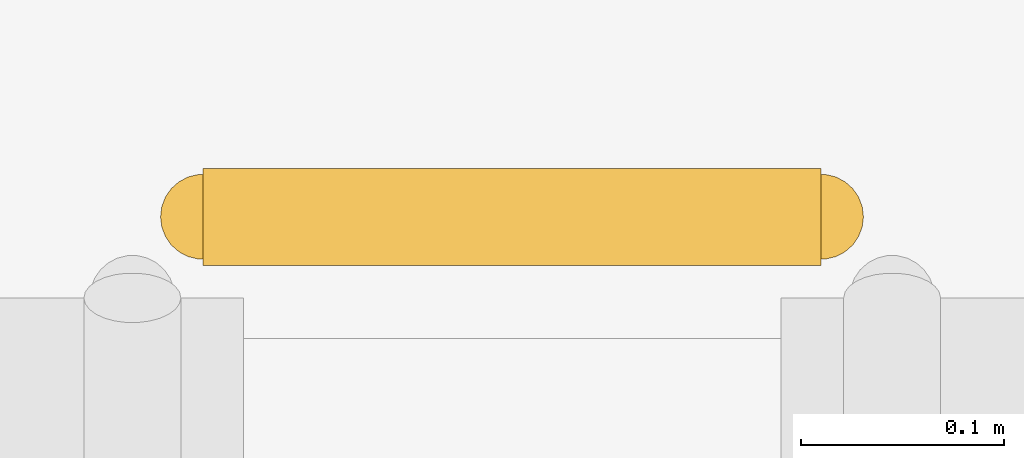
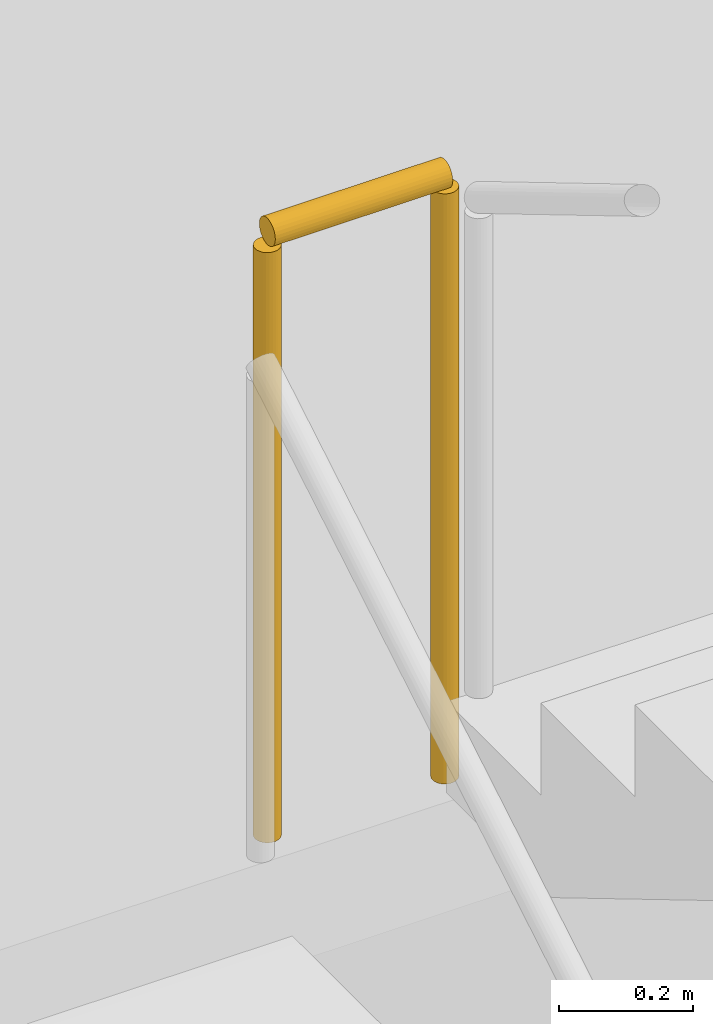
# One storey, part 122 of 131: 1 railing.
"""IFC4 building model written with IfcOpenShell, lengths in metres."""

from ifc_helpers import new_model, si_unit, direction, frame, origin, origin_2d, place, context, subcontext, project, spatial, circle, extrude, material, type_object, element, save


model = new_model("IFC4")

# Units and contexts
model_context = context("Model", 3, precision=1e-05, world=origin(), true_north=direction((0.0, 1.0)))
body_context = subcontext(model_context, "Body", "Model", "MODEL_VIEW")
ifc_project = project(units=[si_unit("LENGTHUNIT", "METRE"), si_unit("AREAUNIT", "SQUARE_METRE"), si_unit("VOLUMEUNIT", "CUBIC_METRE"), si_unit("PLANEANGLEUNIT", "RADIAN"), si_unit("MASSUNIT", "GRAM", prefix="KILO")], contexts=[model_context])

# Site, building, storey
site_placement = place(None, origin())
site = spatial("IfcSite", under=ifc_project, at=site_placement, CompositionType="ELEMENT")
building_placement = place(site_placement, origin())
building = spatial("IfcBuilding", under=site, at=building_placement, Name="Cazmaro Siding Exhibition Halls", CompositionType="ELEMENT")
storey_placement = place(building_placement, origin())
storey = spatial("IfcBuildingStorey", under=building, at=storey_placement, Name="L00", CompositionType="ELEMENT", Elevation=0.0)

# Railing
ifc_material = material(Name="Painted Steel Stairwell Guardrail", Category="steel")
railing_type = type_object("IfcRailingType", Name="RL-GRD-01", PredefinedType="GUARDRAIL", material=ifc_material)
railing_placement = place(storey_placement, frame((50.324951171875, 73.760009765625, 3.0)))
element("IfcRailing", 1, at=railing_placement, inside=storey, type_object=railing_type, Name="ST-01 Mid-Landing Slot Guard RL-GRD-01 RL-SG001", PredefinedType="GUARDRAIL", context=body_context, shape_type="SweptSolid", body=[
    extrude(circle(Radius=0.02392578125, at=origin_2d()), frame((0.0, 0.0, 1.09619140625), z_axis=(1.0, 0.0, 0.0), x_axis=(0.0, 1.0, 0.0)), (0.0, 0.0, 1.0), 0.304931640625),
    extrude(circle(Radius=0.02099609375, at=origin_2d()), origin(), (0.0, 0.0, 1.0), 1.072021484375),
    extrude(circle(Radius=0.02099609375, at=origin_2d()), frame((0.304931640625, 0.0, 0.0)), (0.0, 0.0, 1.0), 1.072021484375),
])

save(model, "model.ifc")
